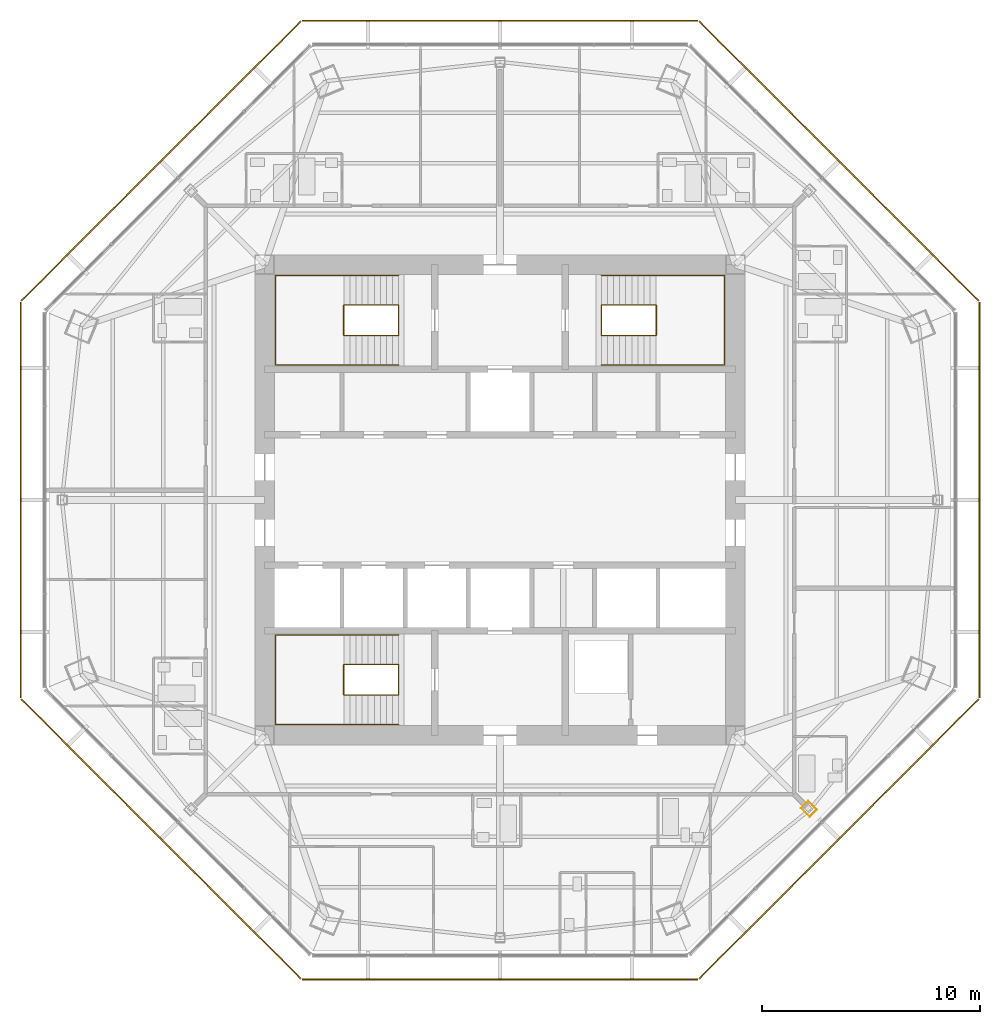
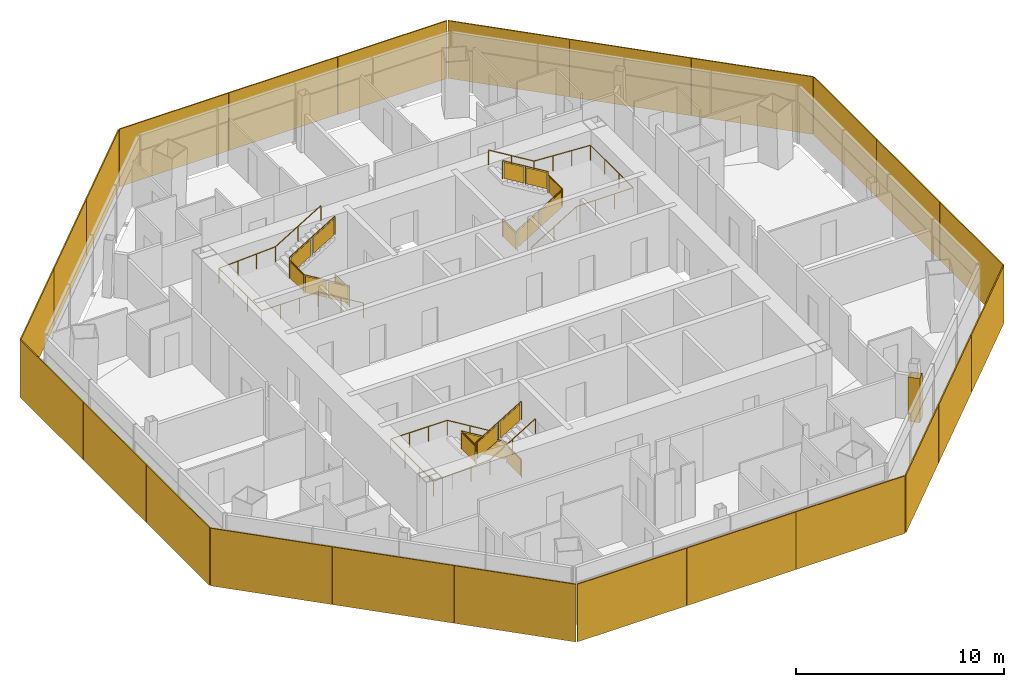
# One storey, part 13 of 14: 24 shading devices, 6 railings, 1 covering.
"""IFC4 building model written with IfcOpenShell, lengths in metres."""

from ifc_helpers import new_model, si_unit, direction, frame, origin, origin_2d, place, context, subcontext, project, spatial, polyline, rectangle, circle, outline, extrude, source, transform, mapped, material, layer, layer_set, type_object, type_shapes, element, save


model = new_model("IFC4")

# Units and contexts
model_context = context("Model", 3, precision=1e-05, world=origin(), true_north=direction((0.0, 1.0)))
body_context = subcontext(model_context, "Body", "Model", "MODEL_VIEW")
ifc_project = project(units=[si_unit("LENGTHUNIT", "METRE"), si_unit("AREAUNIT", "SQUARE_METRE"), si_unit("VOLUMEUNIT", "CUBIC_METRE"), si_unit("PLANEANGLEUNIT", "RADIAN"), si_unit("MASSUNIT", "GRAM", prefix="KILO")], contexts=[model_context])

# Site, building, storey
site_placement = place(None, origin())
site = spatial("IfcSite", under=ifc_project, at=site_placement, CompositionType="ELEMENT")
building_placement = place(site_placement, origin())
building = spatial("IfcBuilding", under=site, at=building_placement, Name="Mashrafa Tower", CompositionType="ELEMENT")
storey_placement = place(building_placement, frame((0.0, 0.0, 251.60009765625)))
storey = spatial("IfcBuildingStorey", under=building, at=storey_placement, Name="L60", CompositionType="ELEMENT", Elevation=251.60009765625)

# Covering
ifc_material_1 = material(Name="Gypsum board")
ifc_layer_1 = layer(ifc_material_1, 0.014892578125)
ifc_layer_set_1 = layer_set([ifc_layer_1], Name="Column casing plasterboard 15")
covering_type = type_object("IfcCoveringType", Name="Column casing plasterboard 15", PredefinedType="CLADDING", material=ifc_layer_set_1)
covering_placement = place(storey_placement, origin())
element("IfcCovering", 1, at=covering_placement, inside=storey, type_object=covering_type, Name="Column casing L60-001", PredefinedType="CLADDING", context=body_context, shape_type="SweptSolid", body=[
    extrude(outline(polyline([(13.803466796875, -14.142822265625), (14.142822265625, -13.803466796875), (14.55029296875, -14.2109375), (14.2109375, -14.55029296875), (13.803466796875, -14.142822265625)]), holes=[polyline([(14.529296875, -14.2109375), (14.142822265625, -13.82470703125), (13.82470703125, -14.142822265625), (14.2109375, -14.529296875), (14.529296875, -14.2109375)])]), origin(), (0.0, 0.0, 1.0), 2.587890625),
])

# Railings
ifc_material_2 = material(Name="Steel guard with glass infill", Category="steel")
railing_type_1 = type_object("IfcRailingType", Name="Stair guard 1100", PredefinedType="GUARDRAIL", material=ifc_material_2)
railing_1_placement = place(storey_placement, frame((-4.64990234375, 8.949951171875, 0.0)))
element("IfcRailing", 2, at=railing_1_placement, inside=storey, type_object=railing_type_1, Name="Stair S1 guard L60", PredefinedType="GUARDRAIL", context=body_context, shape_type="SweptSolid", body=[
    extrude(circle(Radius=0.02392578125, at=origin_2d()), frame((0.0, 0.0, 1.076171875), z_axis=(0.0, -1.0, 0.0), x_axis=(1.0, 0.0, 0.0)), (0.0, 0.0, 1.0), 1.39990234375),
    extrude(circle(Radius=0.02392578125, at=origin_2d()), frame((0.0, -1.39990234375, 1.076171875), z_axis=(0.0, 0.0, 1.0), x_axis=(1.0, 0.0, 0.0)), (0.0, 0.0, 1.0), 0.169921875),
    extrude(circle(Radius=0.02392578125, at=origin_2d()), frame((0.0, -1.39990234375, 1.24609375), z_axis=(-0.85478489116, 0.0, 0.518982456201), x_axis=(0.0, -1.0, 0.0)), (0.0, 0.0, 1.0), 2.9482421875),
    extrude(circle(Radius=0.02392578125, at=origin_2d()), frame((-2.52001953125, -1.39990234375, 2.77587890625), z_axis=(0.0, 1.0, 0.0), x_axis=(-1.0, 0.0, 0.0)), (0.0, 0.0, 1.0), 1.39990234375),
    extrude(circle(Radius=0.02392578125, at=origin_2d()), frame((-2.52001953125, 0.0, 2.77587890625), z_axis=(0.0, 0.0, 1.0), x_axis=(1.0, 0.0, 0.0)), (0.0, 0.0, 1.0), 0.169921875),
    extrude(circle(Radius=0.02392578125, at=origin_2d()), frame((-2.52001953125, 0.0, 2.94580078125), z_axis=(0.85478489116, 0.0, 0.518982456201), x_axis=(0.0, 1.0, 0.0)), (0.0, 0.0, 1.0), 2.9482421875),
    extrude(circle(Radius=0.02099609375, at=origin_2d()), origin(), (0.0, 0.0, 1.0), 1.052001953125),
    extrude(circle(Radius=0.02099609375, at=origin_2d()), frame((0.0, -1.39990234375, 0.0)), (0.0, 0.0, 1.0), 1.052001953125),
    extrude(circle(Radius=0.02099609375, at=origin_2d()), frame((0.0, -1.39990234375, 0.169921875)), (0.0, 0.0, 1.0), 1.052001953125),
    extrude(circle(Radius=0.02099609375, at=origin_2d()), frame((-1.260009765625, -1.39990234375, 0.93505859375)), (0.0, 0.0, 1.0), 1.052001953125),
    extrude(circle(Radius=0.02099609375, at=origin_2d()), frame((-2.52001953125, -1.39990234375, 1.699951171875)), (0.0, 0.0, 1.0), 1.052001953125),
    extrude(circle(Radius=0.02099609375, at=origin_2d()), frame((-2.52001953125, 0.0, 1.699951171875)), (0.0, 0.0, 1.0), 1.052001953125),
    extrude(circle(Radius=0.02099609375, at=origin_2d()), frame((-2.52001953125, 0.0, 1.869873046875)), (0.0, 0.0, 1.0), 1.052001953125),
    extrude(circle(Radius=0.02099609375, at=origin_2d()), frame((-1.260009765625, 0.0, 2.634765625)), (0.0, 0.0, 1.0), 1.052001953125),
    extrude(circle(Radius=0.02099609375, at=origin_2d()), frame((0.0, 0.0, 3.39990234375)), (0.0, 0.0, 1.0), 1.052001953125),
    extrude(outline(polyline([(0.071044921875, 0.050048828125), (1.328857421875, 0.050048828125), (1.328857421875, 1.001953125), (0.071044921875, 1.001953125), (0.071044921875, 0.050048828125)])), frame((-0.006103515625, 0.0, 0.0), z_axis=(-1.0, 0.0, 0.0), x_axis=(0.0, -1.0, 0.0)), (0.0, 0.0, 1.0), 0.011962890625),
    extrude(outline(polyline([(0.071044921875, 0.093017578125), (1.18896484375, 0.77197265625), (1.18896484375, 1.723876953125), (0.071044921875, 1.045166015625), (0.071044921875, 0.093017578125)])), frame((0.0, -1.393798828125, 0.169921875), z_axis=(0.0, 1.0, 0.0), x_axis=(-1.0, 0.0, 0.0)), (0.0, 0.0, 1.0), 0.011962890625),
    extrude(outline(polyline([(1.3310546875, 0.858154296875), (2.448974609375, 1.536865234375), (2.448974609375, 2.489013671875), (1.3310546875, 1.81005859375), (1.3310546875, 0.858154296875)])), frame((0.0, -1.393798828125, 0.169921875), z_axis=(0.0, 1.0, 0.0), x_axis=(-1.0, 0.0, 0.0)), (0.0, 0.0, 1.0), 0.011962890625),
    extrude(outline(polyline([(0.071044921875, 0.050048828125), (1.328857421875, 0.050048828125), (1.328857421875, 1.001953125), (0.071044921875, 1.001953125), (0.071044921875, 0.050048828125)])), frame((-2.513916015625, -1.39990234375, 1.699951171875), z_axis=(1.0, 0.0, 0.0), x_axis=(0.0, 1.0, 0.0)), (0.0, 0.0, 1.0), 0.011962890625),
    extrude(outline(polyline([(0.071044921875, 0.093017578125), (1.18896484375, 0.77197265625), (1.18896484375, 1.723876953125), (0.071044921875, 1.045166015625), (0.071044921875, 0.093017578125)])), frame((-2.52001953125, -0.006103515625, 1.869873046875), z_axis=(0.0, -1.0, 0.0), x_axis=(1.0, 0.0, 0.0)), (0.0, 0.0, 1.0), 0.011962890625),
    extrude(outline(polyline([(1.3310546875, 0.858154296875), (2.448974609375, 1.536865234375), (2.448974609375, 2.489013671875), (1.3310546875, 1.81005859375), (1.3310546875, 0.858154296875)])), frame((-2.52001953125, -0.006103515625, 1.869873046875), z_axis=(0.0, -1.0, 0.0), x_axis=(1.0, 0.0, 0.0)), (0.0, 0.0, 1.0), 0.011962890625),
])
railing_2_placement = place(storey_placement, frame((4.64990234375, 8.949951171875, 0.0)))
element("IfcRailing", 3, at=railing_2_placement, inside=storey, type_object=railing_type_1, Name="Stair S2 guard L60", PredefinedType="GUARDRAIL", context=body_context, shape_type="SweptSolid", body=[
    extrude(circle(Radius=0.02392578125, at=origin_2d()), frame((0.0, 0.0, 1.076171875), z_axis=(0.0, -1.0, 0.0), x_axis=(1.0, 0.0, 0.0)), (0.0, 0.0, 1.0), 1.39990234375),
    extrude(circle(Radius=0.02392578125, at=origin_2d()), frame((0.0, -1.39990234375, 1.076171875), z_axis=(0.0, 0.0, 1.0), x_axis=(1.0, 0.0, 0.0)), (0.0, 0.0, 1.0), 0.169921875),
    extrude(circle(Radius=0.02392578125, at=origin_2d()), frame((0.0, -1.39990234375, 1.24609375), z_axis=(0.85478489116, 0.0, 0.518982456201), x_axis=(0.0, 1.0, 0.0)), (0.0, 0.0, 1.0), 2.9482421875),
    extrude(circle(Radius=0.02392578125, at=origin_2d()), frame((2.52001953125, -1.39990234375, 2.77587890625), z_axis=(0.0, 1.0, 0.0), x_axis=(-1.0, 0.0, 0.0)), (0.0, 0.0, 1.0), 1.39990234375),
    extrude(circle(Radius=0.02392578125, at=origin_2d()), frame((2.52001953125, 0.0, 2.77587890625), z_axis=(0.0, 0.0, 1.0), x_axis=(1.0, 0.0, 0.0)), (0.0, 0.0, 1.0), 0.169921875),
    extrude(circle(Radius=0.02392578125, at=origin_2d()), frame((2.52001953125, 0.0, 2.94580078125), z_axis=(-0.85478489116, 0.0, 0.518982456201), x_axis=(0.0, -1.0, 0.0)), (0.0, 0.0, 1.0), 2.9482421875),
    extrude(circle(Radius=0.02099609375, at=origin_2d()), origin(), (0.0, 0.0, 1.0), 1.052001953125),
    extrude(circle(Radius=0.02099609375, at=origin_2d()), frame((0.0, -1.39990234375, 0.0)), (0.0, 0.0, 1.0), 1.052001953125),
    extrude(circle(Radius=0.02099609375, at=origin_2d()), frame((0.0, -1.39990234375, 0.169921875)), (0.0, 0.0, 1.0), 1.052001953125),
    extrude(circle(Radius=0.02099609375, at=origin_2d()), frame((1.260009765625, -1.39990234375, 0.93505859375)), (0.0, 0.0, 1.0), 1.052001953125),
    extrude(circle(Radius=0.02099609375, at=origin_2d()), frame((2.52001953125, -1.39990234375, 1.699951171875)), (0.0, 0.0, 1.0), 1.052001953125),
    extrude(circle(Radius=0.02099609375, at=origin_2d()), frame((2.52001953125, 0.0, 1.699951171875)), (0.0, 0.0, 1.0), 1.052001953125),
    extrude(circle(Radius=0.02099609375, at=origin_2d()), frame((2.52001953125, 0.0, 1.869873046875)), (0.0, 0.0, 1.0), 1.052001953125),
    extrude(circle(Radius=0.02099609375, at=origin_2d()), frame((1.260009765625, 0.0, 2.634765625)), (0.0, 0.0, 1.0), 1.052001953125),
    extrude(circle(Radius=0.02099609375, at=origin_2d()), frame((0.0, 0.0, 3.39990234375)), (0.0, 0.0, 1.0), 1.052001953125),
    extrude(outline(polyline([(0.071044921875, 0.050048828125), (1.328857421875, 0.050048828125), (1.328857421875, 1.001953125), (0.071044921875, 1.001953125), (0.071044921875, 0.050048828125)])), frame((-0.006103515625, 0.0, 0.0), z_axis=(-1.0, 0.0, 0.0), x_axis=(0.0, -1.0, 0.0)), (0.0, 0.0, 1.0), 0.011962890625),
    extrude(outline(polyline([(0.071044921875, 0.093017578125), (1.18896484375, 0.77197265625), (1.18896484375, 1.723876953125), (0.071044921875, 1.045166015625), (0.071044921875, 0.093017578125)])), frame((0.0, -1.406005859375, 0.169921875), z_axis=(0.0, -1.0, 0.0), x_axis=(1.0, 0.0, 0.0)), (0.0, 0.0, 1.0), 0.011962890625),
    extrude(outline(polyline([(1.3310546875, 0.858154296875), (2.448974609375, 1.536865234375), (2.448974609375, 2.489013671875), (1.3310546875, 1.81005859375), (1.3310546875, 0.858154296875)])), frame((0.0, -1.406005859375, 0.169921875), z_axis=(0.0, -1.0, 0.0), x_axis=(1.0, 0.0, 0.0)), (0.0, 0.0, 1.0), 0.011962890625),
    extrude(outline(polyline([(0.071044921875, 0.050048828125), (1.328857421875, 0.050048828125), (1.328857421875, 1.001953125), (0.071044921875, 1.001953125), (0.071044921875, 0.050048828125)])), frame((2.526123046875, -1.39990234375, 1.699951171875), z_axis=(1.0, 0.0, 0.0), x_axis=(0.0, 1.0, 0.0)), (0.0, 0.0, 1.0), 0.011962890625),
    extrude(outline(polyline([(0.071044921875, 0.093017578125), (1.18896484375, 0.77197265625), (1.18896484375, 1.723876953125), (0.071044921875, 1.045166015625), (0.071044921875, 0.093017578125)])), frame((2.52001953125, 0.006103515625, 1.869873046875), z_axis=(0.0, 1.0, 0.0), x_axis=(-1.0, 0.0, 0.0)), (0.0, 0.0, 1.0), 0.011962890625),
    extrude(outline(polyline([(1.3310546875, 0.858154296875), (2.448974609375, 1.536865234375), (2.448974609375, 2.489013671875), (1.3310546875, 1.81005859375), (1.3310546875, 0.858154296875)])), frame((2.52001953125, 0.006103515625, 1.869873046875), z_axis=(0.0, 1.0, 0.0), x_axis=(-1.0, 0.0, 0.0)), (0.0, 0.0, 1.0), 0.011962890625),
])
railing_3_placement = place(storey_placement, frame((-4.64990234375, -8.949951171875, 0.0)))
element("IfcRailing", 4, at=railing_3_placement, inside=storey, type_object=railing_type_1, Name="Stair S3 guard L60", PredefinedType="GUARDRAIL", context=body_context, shape_type="SweptSolid", body=[
    extrude(circle(Radius=0.02392578125, at=origin_2d()), frame((0.0, 0.0, 1.076171875), z_axis=(0.0, 1.0, 0.0), x_axis=(-1.0, 0.0, 0.0)), (0.0, 0.0, 1.0), 1.39990234375),
    extrude(circle(Radius=0.02392578125, at=origin_2d()), frame((0.0, 1.39990234375, 1.076171875), z_axis=(0.0, 0.0, 1.0), x_axis=(1.0, 0.0, 0.0)), (0.0, 0.0, 1.0), 0.169921875),
    extrude(circle(Radius=0.02392578125, at=origin_2d()), frame((0.0, 1.39990234375, 1.24609375), z_axis=(-0.85478489116, 0.0, 0.518982456201), x_axis=(0.0, -1.0, 0.0)), (0.0, 0.0, 1.0), 2.9482421875),
    extrude(circle(Radius=0.02392578125, at=origin_2d()), frame((-2.52001953125, 1.39990234375, 2.77587890625), z_axis=(0.0, -1.0, 0.0), x_axis=(1.0, 0.0, 0.0)), (0.0, 0.0, 1.0), 1.39990234375),
    extrude(circle(Radius=0.02392578125, at=origin_2d()), frame((-2.52001953125, 0.0, 2.77587890625), z_axis=(0.0, 0.0, 1.0), x_axis=(1.0, 0.0, 0.0)), (0.0, 0.0, 1.0), 0.169921875),
    extrude(circle(Radius=0.02392578125, at=origin_2d()), frame((-2.52001953125, 0.0, 2.94580078125), z_axis=(0.85478489116, 0.0, 0.518982456201), x_axis=(0.0, 1.0, 0.0)), (0.0, 0.0, 1.0), 2.9482421875),
    extrude(circle(Radius=0.02099609375, at=origin_2d()), origin(), (0.0, 0.0, 1.0), 1.052001953125),
    extrude(circle(Radius=0.02099609375, at=origin_2d()), frame((0.0, 1.39990234375, 0.0)), (0.0, 0.0, 1.0), 1.052001953125),
    extrude(circle(Radius=0.02099609375, at=origin_2d()), frame((0.0, 1.39990234375, 0.169921875)), (0.0, 0.0, 1.0), 1.052001953125),
    extrude(circle(Radius=0.02099609375, at=origin_2d()), frame((-1.260009765625, 1.39990234375, 0.93505859375)), (0.0, 0.0, 1.0), 1.052001953125),
    extrude(circle(Radius=0.02099609375, at=origin_2d()), frame((-2.52001953125, 1.39990234375, 1.699951171875)), (0.0, 0.0, 1.0), 1.052001953125),
    extrude(circle(Radius=0.02099609375, at=origin_2d()), frame((-2.52001953125, 0.0, 1.699951171875)), (0.0, 0.0, 1.0), 1.052001953125),
    extrude(circle(Radius=0.02099609375, at=origin_2d()), frame((-2.52001953125, 0.0, 1.869873046875)), (0.0, 0.0, 1.0), 1.052001953125),
    extrude(circle(Radius=0.02099609375, at=origin_2d()), frame((-1.260009765625, 0.0, 2.634765625)), (0.0, 0.0, 1.0), 1.052001953125),
    extrude(circle(Radius=0.02099609375, at=origin_2d()), frame((0.0, 0.0, 3.39990234375)), (0.0, 0.0, 1.0), 1.052001953125),
    extrude(outline(polyline([(0.071044921875, 0.050048828125), (1.328857421875, 0.050048828125), (1.328857421875, 1.001953125), (0.071044921875, 1.001953125), (0.071044921875, 0.050048828125)])), frame((0.006103515625, 0.0, 0.0), z_axis=(1.0, 0.0, 0.0), x_axis=(0.0, 1.0, 0.0)), (0.0, 0.0, 1.0), 0.011962890625),
    extrude(outline(polyline([(0.071044921875, 0.093017578125), (1.18896484375, 0.77197265625), (1.18896484375, 1.723876953125), (0.071044921875, 1.045166015625), (0.071044921875, 0.093017578125)])), frame((0.0, 1.406005859375, 0.169921875), z_axis=(0.0, 1.0, 0.0), x_axis=(-1.0, 0.0, 0.0)), (0.0, 0.0, 1.0), 0.011962890625),
    extrude(outline(polyline([(1.3310546875, 0.858154296875), (2.448974609375, 1.536865234375), (2.448974609375, 2.489013671875), (1.3310546875, 1.81005859375), (1.3310546875, 0.858154296875)])), frame((0.0, 1.406005859375, 0.169921875), z_axis=(0.0, 1.0, 0.0), x_axis=(-1.0, 0.0, 0.0)), (0.0, 0.0, 1.0), 0.011962890625),
    extrude(outline(polyline([(0.071044921875, 0.050048828125), (1.328857421875, 0.050048828125), (1.328857421875, 1.001953125), (0.071044921875, 1.001953125), (0.071044921875, 0.050048828125)])), frame((-2.526123046875, 1.39990234375, 1.699951171875), z_axis=(-1.0, 0.0, 0.0), x_axis=(0.0, -1.0, 0.0)), (0.0, 0.0, 1.0), 0.011962890625),
    extrude(outline(polyline([(0.071044921875, 0.093017578125), (1.18896484375, 0.77197265625), (1.18896484375, 1.723876953125), (0.071044921875, 1.045166015625), (0.071044921875, 0.093017578125)])), frame((-2.52001953125, -0.006103515625, 1.869873046875), z_axis=(0.0, -1.0, 0.0), x_axis=(1.0, 0.0, 0.0)), (0.0, 0.0, 1.0), 0.011962890625),
    extrude(outline(polyline([(1.3310546875, 0.858154296875), (2.448974609375, 1.536865234375), (2.448974609375, 2.489013671875), (1.3310546875, 1.81005859375), (1.3310546875, 0.858154296875)])), frame((-2.52001953125, -0.006103515625, 1.869873046875), z_axis=(0.0, -1.0, 0.0), x_axis=(1.0, 0.0, 0.0)), (0.0, 0.0, 1.0), 0.011962890625),
])
ifc_material_3 = material(Name="Steel", Category="steel")
railing_type_2 = type_object("IfcRailingType", Name="Stair handrail 900", PredefinedType="HANDRAIL", material=ifc_material_3)
railing_4_placement = place(storey_placement, frame((-4.64990234375, 6.199951171875, 0.169921875)))
element("IfcRailing", 5, at=railing_4_placement, inside=storey, type_object=railing_type_2, Name="Stair S1 handrail L60", PredefinedType="HANDRAIL", context=body_context, shape_type="SweptSolid", body=[
    extrude(circle(Radius=0.02392578125, at=origin_2d()), frame((0.0, 0.0, 0.8759765625), z_axis=(-0.85478489116, 0.0, 0.518982456201), x_axis=(0.0, -1.0, 0.0)), (0.0, 0.0, 1.0), 2.9482421875),
    extrude(circle(Radius=0.02392578125, at=origin_2d()), frame((-2.52001953125, 0.0, 2.40576171875), z_axis=(-1.0, 0.0, 0.0), x_axis=(0.0, -1.0, 0.0)), (0.0, 0.0, 1.0), 3.130126953125),
    extrude(circle(Radius=0.02392578125, at=origin_2d()), frame((-5.650146484375, 0.0, 2.40576171875), z_axis=(0.0, 1.0, 0.0), x_axis=(-1.0, 0.0, 0.0)), (0.0, 0.0, 1.0), 4.10009765625),
    extrude(circle(Radius=0.02392578125, at=origin_2d()), frame((-5.650146484375, 4.10009765625, 2.40576171875), z_axis=(0.998529767259, 0.0, 0.054206124172), x_axis=(0.0, 1.0, 0.0)), (0.0, 0.0, 1.0), 3.134765625),
    extrude(circle(Radius=0.02392578125, at=origin_2d()), frame((-2.52001953125, 4.10009765625, 2.57568359375), z_axis=(0.85478489116, 0.0, 0.518982456201), x_axis=(0.0, 1.0, 0.0)), (0.0, 0.0, 1.0), 2.9482421875),
    extrude(circle(Radius=0.02099609375, at=origin_2d()), origin(), (0.0, 0.0, 1.0), 0.851806640625),
    extrude(circle(Radius=0.02099609375, at=origin_2d()), frame((-1.260009765625, 0.0, 0.76513671875)), (0.0, 0.0, 1.0), 0.851806640625),
    extrude(circle(Radius=0.02099609375, at=origin_2d()), frame((-2.52001953125, 0.0, 1.530029296875)), (0.0, 0.0, 1.0), 0.851806640625),
    extrude(circle(Radius=0.02099609375, at=origin_2d()), frame((-3.5634765625, 0.0, 1.530029296875)), (0.0, 0.0, 1.0), 0.851806640625),
    extrude(circle(Radius=0.02099609375, at=origin_2d()), frame((-4.606689453125, 0.0, 1.530029296875)), (0.0, 0.0, 1.0), 0.851806640625),
    extrude(circle(Radius=0.02099609375, at=origin_2d()), frame((-5.650146484375, 0.0, 1.530029296875)), (0.0, 0.0, 1.0), 0.851806640625),
    extrude(circle(Radius=0.02099609375, at=origin_2d()), frame((-5.650146484375, 1.36669921875, 1.530029296875)), (0.0, 0.0, 1.0), 0.851806640625),
    extrude(circle(Radius=0.02099609375, at=origin_2d()), frame((-5.650146484375, 2.7333984375, 1.530029296875)), (0.0, 0.0, 1.0), 0.851806640625),
    extrude(circle(Radius=0.02099609375, at=origin_2d()), frame((-5.650146484375, 4.10009765625, 1.530029296875)), (0.0, 0.0, 1.0), 0.851806640625),
    extrude(circle(Radius=0.02099609375, at=origin_2d()), frame((-4.606689453125, 4.10009765625, 1.586669921875)), (0.0, 0.0, 1.0), 0.851806640625),
    extrude(circle(Radius=0.02099609375, at=origin_2d()), frame((-3.5634765625, 4.10009765625, 1.643310546875)), (0.0, 0.0, 1.0), 0.851806640625),
    extrude(circle(Radius=0.02099609375, at=origin_2d()), frame((-2.52001953125, 4.10009765625, 1.699951171875)), (0.0, 0.0, 1.0), 0.851806640625),
    extrude(circle(Radius=0.02099609375, at=origin_2d()), frame((-1.260009765625, 4.10009765625, 2.46484375)), (0.0, 0.0, 1.0), 0.851806640625),
    extrude(circle(Radius=0.02099609375, at=origin_2d()), frame((0.0, 4.10009765625, 3.22998046875)), (0.0, 0.0, 1.0), 0.851806640625),
])
railing_5_placement = place(storey_placement, frame((4.64990234375, 6.199951171875, 0.169921875)))
element("IfcRailing", 6, at=railing_5_placement, inside=storey, type_object=railing_type_2, Name="Stair S2 handrail L60", PredefinedType="HANDRAIL", context=body_context, shape_type="SweptSolid", body=[
    extrude(circle(Radius=0.02392578125, at=origin_2d()), frame((0.0, 0.0, 0.8759765625), z_axis=(0.85478489116, 0.0, 0.518982456201), x_axis=(0.0, 1.0, 0.0)), (0.0, 0.0, 1.0), 2.9482421875),
    extrude(circle(Radius=0.02392578125, at=origin_2d()), frame((2.52001953125, 0.0, 2.40576171875), z_axis=(1.0, 0.0, 0.0), x_axis=(0.0, 1.0, 0.0)), (0.0, 0.0, 1.0), 3.130126953125),
    extrude(circle(Radius=0.02392578125, at=origin_2d()), frame((5.650146484375, 0.0, 2.40576171875), z_axis=(0.0, 1.0, 0.0), x_axis=(-1.0, 0.0, 0.0)), (0.0, 0.0, 1.0), 4.10009765625),
    extrude(circle(Radius=0.02392578125, at=origin_2d()), frame((5.650146484375, 4.10009765625, 2.40576171875), z_axis=(-0.998529767259, 0.0, 0.054206124172), x_axis=(0.0, -1.0, 0.0)), (0.0, 0.0, 1.0), 3.134765625),
    extrude(circle(Radius=0.02392578125, at=origin_2d()), frame((2.52001953125, 4.10009765625, 2.57568359375), z_axis=(-0.85478489116, 0.0, 0.518982456201), x_axis=(0.0, -1.0, 0.0)), (0.0, 0.0, 1.0), 2.9482421875),
    extrude(circle(Radius=0.02099609375, at=origin_2d()), origin(), (0.0, 0.0, 1.0), 0.851806640625),
    extrude(circle(Radius=0.02099609375, at=origin_2d()), frame((1.260009765625, 0.0, 0.76513671875)), (0.0, 0.0, 1.0), 0.851806640625),
    extrude(circle(Radius=0.02099609375, at=origin_2d()), frame((2.52001953125, 0.0, 1.530029296875)), (0.0, 0.0, 1.0), 0.851806640625),
    extrude(circle(Radius=0.02099609375, at=origin_2d()), frame((3.5634765625, 0.0, 1.530029296875)), (0.0, 0.0, 1.0), 0.851806640625),
    extrude(circle(Radius=0.02099609375, at=origin_2d()), frame((4.606689453125, 0.0, 1.530029296875)), (0.0, 0.0, 1.0), 0.851806640625),
    extrude(circle(Radius=0.02099609375, at=origin_2d()), frame((5.650146484375, 0.0, 1.530029296875)), (0.0, 0.0, 1.0), 0.851806640625),
    extrude(circle(Radius=0.02099609375, at=origin_2d()), frame((5.650146484375, 1.36669921875, 1.530029296875)), (0.0, 0.0, 1.0), 0.851806640625),
    extrude(circle(Radius=0.02099609375, at=origin_2d()), frame((5.650146484375, 2.7333984375, 1.530029296875)), (0.0, 0.0, 1.0), 0.851806640625),
    extrude(circle(Radius=0.02099609375, at=origin_2d()), frame((5.650146484375, 4.10009765625, 1.530029296875)), (0.0, 0.0, 1.0), 0.851806640625),
    extrude(circle(Radius=0.02099609375, at=origin_2d()), frame((4.606689453125, 4.10009765625, 1.586669921875)), (0.0, 0.0, 1.0), 0.851806640625),
    extrude(circle(Radius=0.02099609375, at=origin_2d()), frame((3.5634765625, 4.10009765625, 1.643310546875)), (0.0, 0.0, 1.0), 0.851806640625),
    extrude(circle(Radius=0.02099609375, at=origin_2d()), frame((2.52001953125, 4.10009765625, 1.699951171875)), (0.0, 0.0, 1.0), 0.851806640625),
    extrude(circle(Radius=0.02099609375, at=origin_2d()), frame((1.260009765625, 4.10009765625, 2.46484375)), (0.0, 0.0, 1.0), 0.851806640625),
    extrude(circle(Radius=0.02099609375, at=origin_2d()), frame((0.0, 4.10009765625, 3.22998046875)), (0.0, 0.0, 1.0), 0.851806640625),
])
railing_6_placement = place(storey_placement, frame((-4.64990234375, -6.199951171875, 0.169921875)))
element("IfcRailing", 7, at=railing_6_placement, inside=storey, type_object=railing_type_2, Name="Stair S3 handrail L60", PredefinedType="HANDRAIL", context=body_context, shape_type="SweptSolid", body=[
    extrude(circle(Radius=0.02392578125, at=origin_2d()), frame((0.0, 0.0, 0.8759765625), z_axis=(-0.85478489116, 0.0, 0.518982456201), x_axis=(0.0, -1.0, 0.0)), (0.0, 0.0, 1.0), 2.9482421875),
    extrude(circle(Radius=0.02392578125, at=origin_2d()), frame((-2.52001953125, 0.0, 2.40576171875), z_axis=(-1.0, 0.0, 0.0), x_axis=(0.0, -1.0, 0.0)), (0.0, 0.0, 1.0), 3.130126953125),
    extrude(circle(Radius=0.02392578125, at=origin_2d()), frame((-5.650146484375, 0.0, 2.40576171875), z_axis=(0.0, -1.0, 0.0), x_axis=(1.0, 0.0, 0.0)), (0.0, 0.0, 1.0), 4.10009765625),
    extrude(circle(Radius=0.02392578125, at=origin_2d()), frame((-5.650146484375, -4.10009765625, 2.40576171875), z_axis=(0.998529767259, 0.0, 0.054206124172), x_axis=(0.0, 1.0, 0.0)), (0.0, 0.0, 1.0), 3.134765625),
    extrude(circle(Radius=0.02392578125, at=origin_2d()), frame((-2.52001953125, -4.10009765625, 2.57568359375), z_axis=(0.85478489116, 0.0, 0.518982456201), x_axis=(0.0, 1.0, 0.0)), (0.0, 0.0, 1.0), 2.9482421875),
    extrude(circle(Radius=0.02099609375, at=origin_2d()), origin(), (0.0, 0.0, 1.0), 0.851806640625),
    extrude(circle(Radius=0.02099609375, at=origin_2d()), frame((-1.260009765625, 0.0, 0.76513671875)), (0.0, 0.0, 1.0), 0.851806640625),
    extrude(circle(Radius=0.02099609375, at=origin_2d()), frame((-2.52001953125, 0.0, 1.530029296875)), (0.0, 0.0, 1.0), 0.851806640625),
    extrude(circle(Radius=0.02099609375, at=origin_2d()), frame((-3.5634765625, 0.0, 1.530029296875)), (0.0, 0.0, 1.0), 0.851806640625),
    extrude(circle(Radius=0.02099609375, at=origin_2d()), frame((-4.606689453125, 0.0, 1.530029296875)), (0.0, 0.0, 1.0), 0.851806640625),
    extrude(circle(Radius=0.02099609375, at=origin_2d()), frame((-5.650146484375, 0.0, 1.530029296875)), (0.0, 0.0, 1.0), 0.851806640625),
    extrude(circle(Radius=0.02099609375, at=origin_2d()), frame((-5.650146484375, -1.36669921875, 1.530029296875)), (0.0, 0.0, 1.0), 0.851806640625),
    extrude(circle(Radius=0.02099609375, at=origin_2d()), frame((-5.650146484375, -2.7333984375, 1.530029296875)), (0.0, 0.0, 1.0), 0.851806640625),
    extrude(circle(Radius=0.02099609375, at=origin_2d()), frame((-5.650146484375, -4.10009765625, 1.530029296875)), (0.0, 0.0, 1.0), 0.851806640625),
    extrude(circle(Radius=0.02099609375, at=origin_2d()), frame((-4.606689453125, -4.10009765625, 1.586669921875)), (0.0, 0.0, 1.0), 0.851806640625),
    extrude(circle(Radius=0.02099609375, at=origin_2d()), frame((-3.5634765625, -4.10009765625, 1.643310546875)), (0.0, 0.0, 1.0), 0.851806640625),
    extrude(circle(Radius=0.02099609375, at=origin_2d()), frame((-2.52001953125, -4.10009765625, 1.699951171875)), (0.0, 0.0, 1.0), 0.851806640625),
    extrude(circle(Radius=0.02099609375, at=origin_2d()), frame((-1.260009765625, -4.10009765625, 2.46484375)), (0.0, 0.0, 1.0), 0.851806640625),
    extrude(circle(Radius=0.02099609375, at=origin_2d()), frame((0.0, -4.10009765625, 3.22998046875)), (0.0, 0.0, 1.0), 0.851806640625),
])

# Shading devices
ifc_material_4 = material(Name="Perforated aluminium plate, eight-point star pattern", Category="aluminium")
ifc_layer_2 = layer(ifc_material_4, 0.06005859375)
ifc_layer_set_2 = layer_set([ifc_layer_2], Name="Mashrabiya screen panel apartment zone 3, 28 percent open")
shading_device_type = type_object("IfcShadingDeviceType", Name="Mashrabiya screen panel apartment zone 3, 28 percent open", PredefinedType="SHUTTER", material=ifc_layer_set_2)
shared_shape = source(origin(), body_context, "Body", "SweptSolid", [
    extrude(rectangle(XDim=6.03955078125, YDim=0.06005859375, at=origin_2d()), origin(), (0.0, 0.0, 1.0), 3.3798828125),
])
type_shapes(shading_device_type, [shared_shape])
for number, where, z_axis, x_axis, name in (
    (8, (21.997314453125, -6.059326171875, -0.150146484375), (0.0, 0.0, 1.0), (0.0, 1.0, 0.0), "Mashrabiya screen L60 east 1"),
    (9, (21.997314453125, 0.0, -0.150146484375), (0.0, 0.0, 1.0), (0.0, 1.0, 0.0), "Mashrabiya screen L60 east 2"),
    (10, (21.997314453125, 6.059326171875, -0.150146484375), (0.0, 0.0, 1.0), (0.0, 1.0, 0.0), "Mashrabiya screen L60 east 3"),
    (11, (19.839111328125, 11.269775390625, -0.150146484375), (0.0, 0.0, 1.0), (-0.707106781187, 0.707106781187, 0.0), "Mashrabiya screen L60 north-east 1"),
    (12, (15.554443359375, 15.554443359375, -0.150146484375), (0.0, 0.0, 1.0), (-0.707106781187, 0.707106781187, 0.0), "Mashrabiya screen L60 north-east 2"),
    (13, (11.269775390625, 19.839111328125, -0.150146484375), (0.0, 0.0, 1.0), (-0.707106781187, 0.707106781187, 0.0), "Mashrabiya screen L60 north-east 3"),
    (14, (6.059326171875, 21.997314453125, -0.150146484375), (0.0, 0.0, 1.0), (-1.0, 0.0, 0.0), "Mashrabiya screen L60 north 1"),
    (15, (0.0, 21.997314453125, -0.150146484375), (0.0, 0.0, 1.0), (-1.0, 0.0, 0.0), "Mashrabiya screen L60 north 2"),
    (16, (-6.059326171875, 21.997314453125, -0.150146484375), (0.0, 0.0, 1.0), (-1.0, 0.0, 0.0), "Mashrabiya screen L60 north 3"),
    (17, (-11.269775390625, 19.839111328125, -0.150146484375), (0.0, 0.0, 1.0), (-0.707106781187, -0.707106781187, 0.0), "Mashrabiya screen L60 north-west 1"),
    (18, (-15.554443359375, 15.554443359375, -0.150146484375), (0.0, 0.0, 1.0), (-0.707106781187, -0.707106781187, 0.0), "Mashrabiya screen L60 north-west 2"),
    (19, (-19.839111328125, 11.269775390625, -0.150146484375), (0.0, 0.0, 1.0), (-0.707106781187, -0.707106781187, 0.0), "Mashrabiya screen L60 north-west 3"),
    (20, (-21.997314453125, 6.059326171875, -0.150146484375), (0.0, 0.0, 1.0), (0.0, -1.0, 0.0), "Mashrabiya screen L60 west 1"),
    (21, (-21.997314453125, 0.0, -0.150146484375), (0.0, 0.0, 1.0), (0.0, -1.0, 0.0), "Mashrabiya screen L60 west 2"),
    (22, (-21.997314453125, -6.059326171875, -0.150146484375), (0.0, 0.0, 1.0), (0.0, -1.0, 0.0), "Mashrabiya screen L60 west 3"),
    (23, (-19.839111328125, -11.269775390625, -0.150146484375), (0.0, 0.0, 1.0), (0.707106781187, -0.707106781187, 0.0), "Mashrabiya screen L60 south-west 1"),
    (24, (-15.554443359375, -15.554443359375, -0.150146484375), (0.0, 0.0, 1.0), (0.707106781187, -0.707106781187, 0.0), "Mashrabiya screen L60 south-west 2"),
    (25, (-11.269775390625, -19.839111328125, -0.150146484375), (0.0, 0.0, 1.0), (0.707106781187, -0.707106781187, 0.0), "Mashrabiya screen L60 south-west 3"),
    (26, (-6.059326171875, -21.997314453125, -0.150146484375), (0.0, 0.0, 1.0), (1.0, 0.0, 0.0), "Mashrabiya screen L60 south 1"),
    (27, (0.0, -21.997314453125, -0.150146484375), (0.0, 0.0, 1.0), (1.0, 0.0, 0.0), "Mashrabiya screen L60 south 2"),
    (28, (6.059326171875, -21.997314453125, -0.150146484375), (0.0, 0.0, 1.0), (1.0, 0.0, 0.0), "Mashrabiya screen L60 south 3"),
    (29, (11.269775390625, -19.839111328125, -0.150146484375), (0.0, 0.0, 1.0), (0.707106781187, 0.707106781187, 0.0), "Mashrabiya screen L60 south-east 1"),
    (30, (15.554443359375, -15.554443359375, -0.150146484375), (0.0, 0.0, 1.0), (0.707106781187, 0.707106781187, 0.0), "Mashrabiya screen L60 south-east 2"),
    (31, (19.839111328125, -11.269775390625, -0.150146484375), (0.0, 0.0, 1.0), (0.707106781187, 0.707106781187, 0.0), "Mashrabiya screen L60 south-east 3"),
):
    element("IfcShadingDevice", number, at=place(storey_placement, frame(where, z_axis=z_axis, x_axis=x_axis)), inside=storey, type_object=shading_device_type, Name=name, PredefinedType="SHUTTER", context=body_context, shape_type="MappedRepresentation", body=[
        mapped(shared_shape, transform((0.0, 0.0, 0.0))),
    ])

save(model, "model.ifc")
